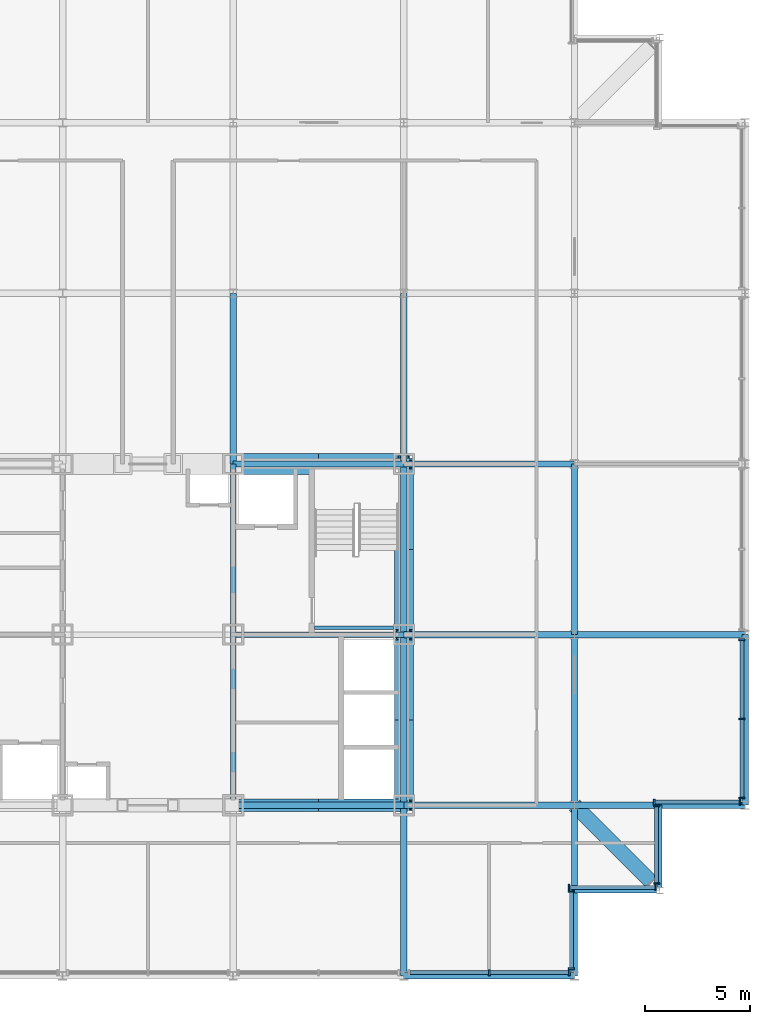
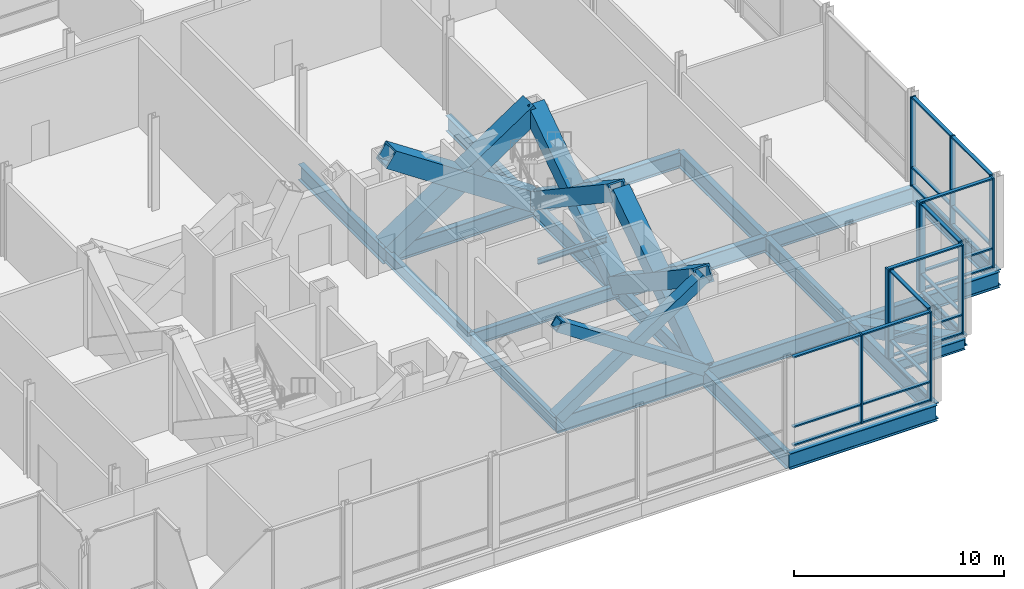
# One storey, part 7 of 21: 45 members, 24 beams, 6 elements without a shape of their own.
"""IFC4 building model written with IfcOpenShell, lengths in metres."""

from ifc_helpers import new_model, si_unit, direction, frame, origin, origin_2d, place, context, subcontext, project, spatial, rectangle, hollow_rectangle, i_section, extrude, material, material_profile, profile_set, type_object, element, aggregate, save


model = new_model("IFC4")

# Units and contexts
model_context = context("Model", 3, precision=1e-05, world=origin(), true_north=direction((0.0, 1.0)))
body_context = subcontext(model_context, "Body", "Model", "MODEL_VIEW")
ifc_project = project(units=[si_unit("LENGTHUNIT", "METRE"), si_unit("AREAUNIT", "SQUARE_METRE"), si_unit("VOLUMEUNIT", "CUBIC_METRE"), si_unit("PLANEANGLEUNIT", "RADIAN"), si_unit("MASSUNIT", "GRAM", prefix="KILO")], contexts=[model_context])

# Site, building, storey
site_placement = place(None, origin())
site = spatial("IfcSite", under=ifc_project, at=site_placement, CompositionType="ELEMENT")
building_placement = place(site_placement, origin())
building = spatial("IfcBuilding", under=site, at=building_placement, Name="Kopane Lantern Tower", CompositionType="ELEMENT")
storey_placement = place(building_placement, frame((0.0, 0.0, 298.5)))
storey = spatial("IfcBuildingStorey", under=building, at=storey_placement, Name="L76", CompositionType="ELEMENT", Elevation=298.5)

# Members
ifc_material_1 = material(Name="Steel S355JR", Category="steel")
ifc_material_profile_1 = material_profile(ifc_material_1, hollow_rectangle(XDim=1.0, YDim=1.0, WallThickness=0.10009765625, at=origin_2d()), Name="BOX 1000x1000x100")
ifc_profile_set_1 = profile_set([ifc_material_profile_1], Name="Steel S355JR")
member_type_1 = type_object("IfcMemberType", Name="BRACE BOX 1000x1000x100", PredefinedType="BRACE", material=ifc_profile_set_1)
for number, where, z_axis, x_axis, name in (
    (1, (32.39990234375, 40.5, -0.2099609375), (0.832058010752, 0.0, 0.55468862143), (0.0, 1.0, 0.0), "Core brace L76"),
    (2, (40.5, 40.5, -0.2099609375), (-0.832058010752, 0.0, 0.55468862143), (0.0, -1.0, 0.0), "Core brace L76"),
):
    element("IfcMember", number, at=place(storey_placement, frame(where, z_axis=z_axis, x_axis=x_axis)), inside=storey, type_object=member_type_1, Name=name, PredefinedType="BRACE", context=body_context, shape_type="SweptSolid", body=[
        extrude(hollow_rectangle(XDim=1.0, YDim=1.0, WallThickness=0.10009765625, at=origin_2d()), origin(), (0.0, 0.0, 1.0), 9.735107421875),
    ])
ifc_material_2 = material(Name="Steel S355JR", Category="steel")
ifc_material_profile_2 = material_profile(ifc_material_2, hollow_rectangle(XDim=0.60009765625, YDim=0.60009765625, WallThickness=0.06005859375, at=origin_2d()), Name="BOX 600x600x60")
ifc_profile_set_2 = profile_set([ifc_material_profile_2], Name="Steel S355JR")
member_type_2 = type_object("IfcMemberType", Name="BRACE BOX 600x600x60", PredefinedType="BRACE", material=ifc_profile_set_2)
for number, where, z_axis, x_axis, name in (
    (3, (32.39990234375, 24.300048828125, -0.2099609375), (0.832058010752, 0.0, 0.55468862143), (0.0, 1.0, 0.0), "Core brace L76"),
    (4, (40.5, 24.300048828125, -0.2099609375), (-0.832058010752, 0.0, 0.55468862143), (0.0, -1.0, 0.0), "Core brace L76"),
):
    element("IfcMember", number, at=place(storey_placement, frame(where, z_axis=z_axis, x_axis=x_axis)), inside=storey, type_object=member_type_2, Name=name, PredefinedType="BRACE", context=body_context, shape_type="SweptSolid", body=[
        extrude(hollow_rectangle(XDim=0.60009765625, YDim=0.60009765625, WallThickness=0.06005859375, at=origin_2d()), origin(), (0.0, 0.0, 1.0), 9.735107421875),
    ])
ifc_material_3 = material(Name="Steel S355JR", Category="steel")
ifc_material_profile_3 = material_profile(ifc_material_3, hollow_rectangle(XDim=0.89990234375, YDim=0.89990234375, WallThickness=0.090087890625, at=origin_2d()), Name="BOX 900x900x90")
ifc_profile_set_3 = profile_set([ifc_material_profile_3], Name="Steel S355JR")
member_type_3 = type_object("IfcMemberType", Name="BRACE BOX 900x900x90", PredefinedType="BRACE", material=ifc_profile_set_3)
for number, where, z_axis, x_axis, name in (
    (5, (40.5, 24.300048828125, -0.2099609375), (0.0, 0.832050294338, 0.554700196225), (-1.0, 0.0, 0.0), "Core brace L76"),
    (6, (40.5, 32.39990234375, -0.2099609375), (0.0, -0.832050294338, 0.554700196225), (1.0, 0.0, 0.0), "Core brace L76"),
):
    element("IfcMember", number, at=place(storey_placement, frame(where, z_axis=z_axis, x_axis=x_axis)), inside=storey, type_object=member_type_3, Name=name, PredefinedType="BRACE", context=body_context, shape_type="SweptSolid", body=[
        extrude(hollow_rectangle(XDim=0.89990234375, YDim=0.89990234375, WallThickness=0.090087890625, at=origin_2d()), origin(), (0.0, 0.0, 1.0), 9.73486328125),
    ])
for number, where, z_axis, x_axis, name in (
    (7, (40.5, 32.39990234375, -0.2099609375), (0.0, 0.832058010752, 0.55468862143), (-1.0, 0.0, 0.0), "Core brace L76"),
    (8, (40.5, 40.5, -0.2099609375), (0.0, -0.832058010752, 0.55468862143), (1.0, 0.0, 0.0), "Core brace L76"),
):
    element("IfcMember", number, at=place(storey_placement, frame(where, z_axis=z_axis, x_axis=x_axis)), inside=storey, type_object=member_type_3, Name=name, PredefinedType="BRACE", context=body_context, shape_type="SweptSolid", body=[
        extrude(hollow_rectangle(XDim=0.89990234375, YDim=0.89990234375, WallThickness=0.090087890625, at=origin_2d()), origin(), (0.0, 0.0, 1.0), 9.735107421875),
    ])

# Beams
ifc_material_4 = material(Name="Steel S355JR", Category="steel")
ifc_material_profile_4 = material_profile(ifc_material_4, i_section(OverallWidth=0.2666015625, OverallDepth=0.76220703125, WebThickness=0.014404296875, FlangeThickness=0.021484375, FilletRadius=0.0166015625, at=origin_2d()), Name="UB 762x267x173")
ifc_profile_set_4 = profile_set([ifc_material_profile_4], Name="Steel S355JR")
beam_type_1 = type_object("IfcBeamType", Name="CORE BEAM UB 762x267x173", PredefinedType="BEAM", material=ifc_profile_set_4)
beam_1_placement = place(storey_placement, frame((32.39990234375, 24.300048828125, -0.591064453125), z_axis=(0.0, 1.0, 0.0), x_axis=(-1.0, 0.0, 0.0)))
element("IfcBeam", 9, at=beam_1_placement, inside=storey, type_object=beam_type_1, Name="Core Beam L76", PredefinedType="BEAM", context=body_context, shape_type="SweptSolid", body=[
    extrude(i_section(OverallWidth=0.2666015625, OverallDepth=0.76220703125, WebThickness=0.014404296875, FlangeThickness=0.021484375, FilletRadius=0.0166015625, at=origin_2d()), origin(), (0.0, 0.0, 1.0), 8.099853515625),
])
for number, where, z_axis, x_axis, name in (
    (10, (32.39990234375, 32.39990234375, -0.591064453125), (0.0, 1.0, 0.0), (-1.0, 0.0, 0.0), "Core Beam L76"),
    (11, (32.39990234375, 32.39990234375, -0.591064453125), (1.0, 0.0, 0.0), (0.0, 1.0, 0.0), "Core Beam L76"),
):
    element("IfcBeam", number, at=place(storey_placement, frame(where, z_axis=z_axis, x_axis=x_axis)), inside=storey, type_object=beam_type_1, Name=name, PredefinedType="BEAM", context=body_context, shape_type="SweptSolid", body=[
        extrude(i_section(OverallWidth=0.2666015625, OverallDepth=0.76220703125, WebThickness=0.014404296875, FlangeThickness=0.021484375, FilletRadius=0.0166015625, at=origin_2d()), origin(), (0.0, 0.0, 1.0), 8.10009765625),
    ])
ifc_material_5 = material(Name="Steel S355JR", Category="steel")
ifc_material_profile_5 = material_profile(ifc_material_5, hollow_rectangle(XDim=0.699951171875, YDim=0.699951171875, WallThickness=0.06005859375, at=origin_2d()), Name="BOX 700x700x60")
ifc_profile_set_5 = profile_set([ifc_material_profile_5], Name="Steel S355JR")
beam_type_2 = type_object("IfcBeamType", Name="CORNER TIE BEAM BOX 700x700x60", PredefinedType="BEAM", material=ifc_profile_set_5)
beam_2_placement = place(storey_placement, frame((52.25244140625, 20.6474609375, -0.56005859375), z_axis=(-0.707083148333, 0.70713041325, 0.0), x_axis=(-0.70713041325, -0.707083148333, 0.0)))
element("IfcBeam", 12, at=beam_2_placement, inside=storey, type_object=beam_type_2, Name="Corner Tie Beam L76", PredefinedType="BEAM", context=body_context, shape_type="SweptSolid", body=[
    extrude(hollow_rectangle(XDim=0.699951171875, YDim=0.699951171875, WallThickness=0.06005859375, at=origin_2d()), origin(), (0.0, 0.0, 1.0), 5.165283203125),
])
ifc_material_6 = material(Name="Steel S355JR", Category="steel")
ifc_material_profile_6 = material_profile(ifc_material_6, i_section(OverallWidth=0.22900390625, OverallDepth=0.6123046875, WebThickness=0.011962890625, FlangeThickness=0.01953125, FilletRadius=0.0126953125, at=origin_2d()), Name="UB 610x229x125")
ifc_profile_set_6 = profile_set([ifc_material_profile_6], Name="Steel S355JR")
beam_type_3 = type_object("IfcBeamType", Name="EDGE BEAM UB 610x229x125", PredefinedType="BEAM", material=ifc_profile_set_6)
for number, where, z_axis, x_axis, name in (
    (13, (52.496337890625, 20.25, -0.51611328125), (-1.0, 0.0, 0.0), (0.0, -1.0, 0.0), "Edge Beam L76"),
    (14, (52.64990234375, 20.40380859375, -0.51611328125), (0.0, 1.0, 0.0), (-1.0, 0.0, 0.0), "Edge Beam L76"),
):
    element("IfcBeam", number, at=place(storey_placement, frame(where, z_axis=z_axis, x_axis=x_axis)), inside=storey, type_object=beam_type_3, Name=name, PredefinedType="BEAM", context=body_context, shape_type="SweptSolid", body=[
        extrude(i_section(OverallWidth=0.22900390625, OverallDepth=0.6123046875, WebThickness=0.011962890625, FlangeThickness=0.01953125, FilletRadius=0.0126953125, at=origin_2d()), origin(), (0.0, 0.0, 1.0), 3.896240234375),
    ])
ifc_material_7 = material(Name="Steel S355JR", Category="steel")
ifc_material_profile_7 = material_profile(ifc_material_7, i_section(OverallWidth=0.305419921875, OverallDepth=0.91845703125, WebThickness=0.017333984375, FlangeThickness=0.02783203125, FilletRadius=0.01904296875, at=origin_2d()), Name="UB 914x305x253")
ifc_profile_set_7 = profile_set([ifc_material_profile_7], Name="Steel S355JR")
beam_type_4 = type_object("IfcBeamType", Name="GIRDER UB 914x305x253", PredefinedType="BEAM", material=ifc_profile_set_7)
for number, where, z_axis, x_axis, name in (
    (15, (32.39990234375, 24.300048828125, -0.669189453125), (1.0, 0.0, 0.0), (0.0, 1.0, 0.0), "Girder L76"),
    (16, (32.39990234375, 40.5, -0.669189453125), (0.0, 1.0, 0.0), (-1.0, 0.0, 0.0), "Girder L76"),
    (17, (32.39990234375, 40.5, -0.669189453125), (1.0, 0.0, 0.0), (0.0, 1.0, 0.0), "Girder L76"),
    (18, (40.5, 16.199951171875, -0.669189453125), (0.0, 1.0, 0.0), (-1.0, 0.0, 0.0), "Girder L76"),
    (19, (40.5, 16.199951171875, -0.669189453125), (1.0, 0.0, 0.0), (0.0, 1.0, 0.0), "Girder L76"),
):
    element("IfcBeam", number, at=place(storey_placement, frame(where, z_axis=z_axis, x_axis=x_axis)), inside=storey, type_object=beam_type_4, Name=name, PredefinedType="BEAM", context=body_context, shape_type="SweptSolid", body=[
        extrude(i_section(OverallWidth=0.305419921875, OverallDepth=0.91845703125, WebThickness=0.017333984375, FlangeThickness=0.02783203125, FilletRadius=0.01904296875, at=origin_2d()), origin(), (0.0, 0.0, 1.0), 8.10009765625),
    ])
beam_3_placement = place(storey_placement, frame((40.5, 24.300048828125, -0.669189453125), z_axis=(0.0, 1.0, 0.0), x_axis=(-1.0, 0.0, 0.0)))
element("IfcBeam", 20, at=beam_3_placement, inside=storey, type_object=beam_type_4, Name="Girder L76", PredefinedType="BEAM", context=body_context, shape_type="SweptSolid", body=[
    extrude(i_section(OverallWidth=0.305419921875, OverallDepth=0.91845703125, WebThickness=0.017333984375, FlangeThickness=0.02783203125, FilletRadius=0.01904296875, at=origin_2d()), origin(), (0.0, 0.0, 1.0), 8.099853515625),
])
for number, where, z_axis, x_axis, name in (
    (21, (40.5, 24.300048828125, -0.669189453125), (1.0, 0.0, 0.0), (0.0, 1.0, 0.0), "Girder L76"),
    (22, (40.5, 32.39990234375, -0.669189453125), (0.0, 1.0, 0.0), (-1.0, 0.0, 0.0), "Girder L76"),
    (23, (40.5, 32.39990234375, -0.669189453125), (1.0, 0.0, 0.0), (0.0, 1.0, 0.0), "Girder L76"),
    (24, (40.5, 40.5, -0.669189453125), (0.0, 1.0, 0.0), (-1.0, 0.0, 0.0), "Girder L76"),
    (25, (40.5, 40.5, -0.669189453125), (1.0, 0.0, 0.0), (0.0, 1.0, 0.0), "Girder L76"),
    (26, (48.60009765625, 16.199951171875, -0.669189453125), (0.0, 1.0, 0.0), (-1.0, 0.0, 0.0), "Girder L76"),
):
    element("IfcBeam", number, at=place(storey_placement, frame(where, z_axis=z_axis, x_axis=x_axis)), inside=storey, type_object=beam_type_4, Name=name, PredefinedType="BEAM", context=body_context, shape_type="SweptSolid", body=[
        extrude(i_section(OverallWidth=0.305419921875, OverallDepth=0.91845703125, WebThickness=0.017333984375, FlangeThickness=0.02783203125, FilletRadius=0.01904296875, at=origin_2d()), origin(), (0.0, 0.0, 1.0), 8.10009765625),
    ])
for number, where, z_axis, x_axis, name in (
    (27, (48.60009765625, 24.300048828125, -0.669189453125), (0.0, 1.0, 0.0), (-1.0, 0.0, 0.0), "Girder L76"),
    (28, (48.60009765625, 24.300048828125, -0.669189453125), (1.0, 0.0, 0.0), (0.0, 1.0, 0.0), "Girder L76"),
):
    element("IfcBeam", number, at=place(storey_placement, frame(where, z_axis=z_axis, x_axis=x_axis)), inside=storey, type_object=beam_type_4, Name=name, PredefinedType="BEAM", context=body_context, shape_type="SweptSolid", body=[
        extrude(i_section(OverallWidth=0.305419921875, OverallDepth=0.91845703125, WebThickness=0.017333984375, FlangeThickness=0.02783203125, FilletRadius=0.01904296875, at=origin_2d()), origin(), (0.0, 0.0, 1.0), 8.099853515625),
    ])
beam_4_placement = place(storey_placement, frame((48.60009765625, 32.39990234375, -0.669189453125), z_axis=(0.0, 1.0, 0.0), x_axis=(-1.0, 0.0, 0.0)))
element("IfcBeam", 29, at=beam_4_placement, inside=storey, type_object=beam_type_4, Name="Girder L76", PredefinedType="BEAM", context=body_context, shape_type="SweptSolid", body=[
    extrude(i_section(OverallWidth=0.305419921875, OverallDepth=0.91845703125, WebThickness=0.017333984375, FlangeThickness=0.02783203125, FilletRadius=0.01904296875, at=origin_2d()), origin(), (0.0, 0.0, 1.0), 8.10009765625),
])
for number, where, z_axis, x_axis, name in (
    (30, (48.60009765625, 32.39990234375, -0.669189453125), (1.0, 0.0, 0.0), (0.0, 1.0, 0.0), "Girder L76"),
    (31, (56.699951171875, 24.300048828125, -0.669189453125), (0.0, 1.0, 0.0), (-1.0, 0.0, 0.0), "Girder L76"),
):
    element("IfcBeam", number, at=place(storey_placement, frame(where, z_axis=z_axis, x_axis=x_axis)), inside=storey, type_object=beam_type_4, Name=name, PredefinedType="BEAM", context=body_context, shape_type="SweptSolid", body=[
        extrude(i_section(OverallWidth=0.305419921875, OverallDepth=0.91845703125, WebThickness=0.017333984375, FlangeThickness=0.02783203125, FilletRadius=0.01904296875, at=origin_2d()), origin(), (0.0, 0.0, 1.0), 8.099853515625),
    ])

# Curtain wall, members
ifc_material_8 = material(Name="Aluminium and clear glass", Category="aluminium")
curtain_wall_type = type_object("IfcCurtainWallType", Name="CURTAIN WALL CW6 LANTERN CROWN", PredefinedType="USERDEFINED", material=ifc_material_8)
curtain_wall_1_placement = place(storey_placement, origin())
curtain_wall_1 = element("IfcCurtainWall", 32, at=curtain_wall_1_placement, inside=storey, type_object=curtain_wall_type, Name="Curtain wall CW6 S L76", ObjectType="CURTAIN WALL", PredefinedType="USERDEFINED")
ifc_material_9 = material(Name="Aluminium", Category="aluminium")
ifc_material_profile_8 = material_profile(ifc_material_9, rectangle(XDim=0.080078125, YDim=0.280029296875, at=origin_2d()), Name="AL 80x280")
ifc_profile_set_8 = profile_set([ifc_material_profile_8], Name="Aluminium")
member_type_4 = type_object("IfcMemberType", Name="MULLION CW6-M 80x280", PredefinedType="MULLION", material=ifc_profile_set_8)
member_1_placement = place(storey_placement, frame((44.550048828125, 16.35009765625, 0.0), z_axis=(0.0, 0.0, 1.0), x_axis=(1.0, 0.0, 0.0)))
member_1 = element("IfcMember", 33, at=member_1_placement, type_object=member_type_4, Name="CW6 mullion 2", PredefinedType="MULLION", context=body_context, shape_type="SweptSolid", body=[
    extrude(rectangle(XDim=0.080078125, YDim=0.280029296875, at=origin_2d()), origin(), (0.0, 0.0, 1.0), 5.18994140625),
])
member_2_placement = place(storey_placement, frame((48.35546875, 16.35009765625, 0.0), z_axis=(0.0, 0.0, 1.0), x_axis=(1.0, 0.0, 0.0)))
member_2 = element("IfcMember", 34, at=member_2_placement, type_object=member_type_4, Name="CW6 mullion 3", PredefinedType="MULLION", context=body_context, shape_type="SweptSolid", body=[
    extrude(rectangle(XDim=0.080078125, YDim=0.280029296875, at=origin_2d()), origin(), (0.0, 0.0, 1.0), 5.18994140625),
])

curtain_wall_2_placement = place(storey_placement, origin())
curtain_wall_2 = element("IfcCurtainWall", 35, at=curtain_wall_2_placement, inside=storey, type_object=curtain_wall_type, Name="Curtain wall CW6 E L76", ObjectType="CURTAIN WALL", PredefinedType="USERDEFINED")
member_3_placement = place(storey_placement, frame((48.449951171875, 16.5400390625, 0.0), z_axis=(0.0, 0.0, 1.0), x_axis=(0.0, 1.0, 0.0)))
member_3 = element("IfcMember", 36, at=member_3_placement, type_object=member_type_4, Name="CW6 mullion 1", PredefinedType="MULLION", context=body_context, shape_type="SweptSolid", body=[
    extrude(rectangle(XDim=0.080078125, YDim=0.280029296875, at=origin_2d()), origin(), (0.0, 0.0, 1.0), 5.18994140625),
])
member_4_placement = place(storey_placement, frame((48.449951171875, 20.2099609375, 0.0), z_axis=(0.0, 0.0, 1.0), x_axis=(0.0, 1.0, 0.0)))
member_4 = element("IfcMember", 37, at=member_4_placement, type_object=member_type_4, Name="CW6 mullion 2", PredefinedType="MULLION", context=body_context, shape_type="SweptSolid", body=[
    extrude(rectangle(XDim=0.080078125, YDim=0.280029296875, at=origin_2d()), origin(), (0.0, 0.0, 1.0), 5.18994140625),
])

curtain_wall_3_placement = place(storey_placement, origin())
curtain_wall_3 = element("IfcCurtainWall", 38, at=curtain_wall_3_placement, inside=storey, type_object=curtain_wall_type, Name="Curtain wall CW6 S L76", ObjectType="CURTAIN WALL", PredefinedType="USERDEFINED")
member_5_placement = place(storey_placement, frame((48.340087890625, 20.39990234375, 0.0), z_axis=(0.0, 0.0, 1.0), x_axis=(1.0, 0.0, 0.0)))
member_5 = element("IfcMember", 39, at=member_5_placement, type_object=member_type_4, Name="CW6 mullion 1", PredefinedType="MULLION", context=body_context, shape_type="SweptSolid", body=[
    extrude(rectangle(XDim=0.080078125, YDim=0.280029296875, at=origin_2d()), origin(), (0.0, 0.0, 1.0), 5.18994140625),
])
member_6_placement = place(storey_placement, frame((52.451416015625, 20.39990234375, 0.0), z_axis=(0.0, 0.0, 1.0), x_axis=(1.0, 0.0, 0.0)))
member_6 = element("IfcMember", 40, at=member_6_placement, type_object=member_type_4, Name="CW6 mullion 2", PredefinedType="MULLION", context=body_context, shape_type="SweptSolid", body=[
    extrude(rectangle(XDim=0.080078125, YDim=0.280029296875, at=origin_2d()), origin(), (0.0, 0.0, 1.0), 5.18994140625),
])

curtain_wall_4_placement = place(storey_placement, origin())
curtain_wall_4 = element("IfcCurtainWall", 41, at=curtain_wall_4_placement, inside=storey, type_object=curtain_wall_type, Name="Curtain wall CW6 E L76", ObjectType="CURTAIN WALL", PredefinedType="USERDEFINED")
member_7_placement = place(storey_placement, frame((52.5, 20.590087890625, 0.0), z_axis=(0.0, 0.0, 1.0), x_axis=(0.0, 1.0, 0.0)))
member_7 = element("IfcMember", 42, at=member_7_placement, type_object=member_type_4, Name="CW6 mullion 1", PredefinedType="MULLION", context=body_context, shape_type="SweptSolid", body=[
    extrude(rectangle(XDim=0.080078125, YDim=0.280029296875, at=origin_2d()), origin(), (0.0, 0.0, 1.0), 5.18994140625),
])
member_8_placement = place(storey_placement, frame((52.5, 24.260009765625, 0.0), z_axis=(0.0, 0.0, 1.0), x_axis=(0.0, 1.0, 0.0)))
member_8 = element("IfcMember", 43, at=member_8_placement, type_object=member_type_4, Name="CW6 mullion 2", PredefinedType="MULLION", context=body_context, shape_type="SweptSolid", body=[
    extrude(rectangle(XDim=0.080078125, YDim=0.280029296875, at=origin_2d()), origin(), (0.0, 0.0, 1.0), 5.18994140625),
])

curtain_wall_5_placement = place(storey_placement, origin())
curtain_wall_5 = element("IfcCurtainWall", 44, at=curtain_wall_5_placement, inside=storey, type_object=curtain_wall_type, Name="Curtain wall CW6 S L76", ObjectType="CURTAIN WALL", PredefinedType="USERDEFINED")
member_9_placement = place(storey_placement, frame((52.389892578125, 24.449951171875, 0.0), z_axis=(0.0, 0.0, 1.0), x_axis=(1.0, 0.0, 0.0)))
member_9 = element("IfcMember", 45, at=member_9_placement, type_object=member_type_4, Name="CW6 mullion 1", PredefinedType="MULLION", context=body_context, shape_type="SweptSolid", body=[
    extrude(rectangle(XDim=0.080078125, YDim=0.280029296875, at=origin_2d()), origin(), (0.0, 0.0, 1.0), 5.18994140625),
])
member_10_placement = place(storey_placement, frame((56.45556640625, 24.449951171875, 0.0), z_axis=(0.0, 0.0, 1.0), x_axis=(1.0, 0.0, 0.0)))
member_10 = element("IfcMember", 46, at=member_10_placement, type_object=member_type_4, Name="CW6 mullion 2", PredefinedType="MULLION", context=body_context, shape_type="SweptSolid", body=[
    extrude(rectangle(XDim=0.080078125, YDim=0.280029296875, at=origin_2d()), origin(), (0.0, 0.0, 1.0), 5.18994140625),
])

curtain_wall_6_placement = place(storey_placement, origin())
curtain_wall_6 = element("IfcCurtainWall", 47, at=curtain_wall_6_placement, inside=storey, type_object=curtain_wall_type, Name="Curtain wall CW6 E L76", ObjectType="CURTAIN WALL", PredefinedType="USERDEFINED")
member_11_placement = place(storey_placement, frame((56.550048828125, 24.639892578125, 0.0), z_axis=(0.0, 0.0, 1.0), x_axis=(0.0, 1.0, 0.0)))
member_11 = element("IfcMember", 48, at=member_11_placement, type_object=member_type_4, Name="CW6 mullion 1", PredefinedType="MULLION", context=body_context, shape_type="SweptSolid", body=[
    extrude(rectangle(XDim=0.080078125, YDim=0.280029296875, at=origin_2d()), origin(), (0.0, 0.0, 1.0), 5.18994140625),
])
member_12_placement = place(storey_placement, frame((56.550048828125, 28.399169921875, 0.0), z_axis=(0.0, 0.0, 1.0), x_axis=(0.0, 1.0, 0.0)))
member_12 = element("IfcMember", 49, at=member_12_placement, type_object=member_type_4, Name="CW6 mullion 2", PredefinedType="MULLION", context=body_context, shape_type="SweptSolid", body=[
    extrude(rectangle(XDim=0.080078125, YDim=0.280029296875, at=origin_2d()), origin(), (0.0, 0.0, 1.0), 5.18994140625),
])
member_13_placement = place(storey_placement, frame((56.550048828125, 32.158203125, 0.0), z_axis=(0.0, 0.0, 1.0), x_axis=(0.0, 1.0, 0.0)))
member_13 = element("IfcMember", 50, at=member_13_placement, type_object=member_type_4, Name="CW6 mullion 3", PredefinedType="MULLION", context=body_context, shape_type="SweptSolid", body=[
    extrude(rectangle(XDim=0.080078125, YDim=0.280029296875, at=origin_2d()), origin(), (0.0, 0.0, 1.0), 5.18994140625),
])

# Beam
ifc_material_10 = material(Name="Steel S355JR", Category="steel")
ifc_material_profile_9 = material_profile(ifc_material_10, i_section(OverallWidth=0.1650390625, OverallDepth=0.303466796875, WebThickness=0.006103515625, FlangeThickness=0.01025390625, FilletRadius=0.0087890625, at=origin_2d()), Name="UB 305x165x40")
ifc_profile_set_9 = profile_set([ifc_material_profile_9], Name="Steel S355JR")
beam_type_5 = type_object("IfcBeamType", Name="STAIR LANDING BEAM UB 305x165x40", PredefinedType="BEAM", material=ifc_profile_set_9)
beam_5_placement = place(storey_placement, frame((40.0, 32.732421875, 2.348388671875), z_axis=(-1.0, 0.0, 0.0), x_axis=(0.0, -1.0, 0.0)))
element("IfcBeam", 51, at=beam_5_placement, inside=storey, type_object=beam_type_5, Name="Stair landing beam ST2 L76", PredefinedType="BEAM", context=body_context, shape_type="SweptSolid", body=[
    extrude(i_section(OverallWidth=0.1650390625, OverallDepth=0.303466796875, WebThickness=0.006103515625, FlangeThickness=0.01025390625, FilletRadius=0.0087890625, at=origin_2d()), origin(), (0.0, 0.0, 1.0), 3.75),
])

# Member
ifc_material_11 = material(Name="Aluminium", Category="aluminium")
ifc_material_profile_10 = material_profile(ifc_material_11, rectangle(XDim=0.18994140625, YDim=0.080078125, at=origin_2d()), Name="AL 190x80")
ifc_profile_set_10 = profile_set([ifc_material_profile_10], Name="Aluminium")
member_type_5 = type_object("IfcMemberType", Name="TRANSOM CW6-T 80x190", PredefinedType="USERDEFINED", material=ifc_profile_set_10)
member_14_placement = place(storey_placement, frame((40.784423828125, 16.35009765625, 0.0400390625), z_axis=(1.0, 0.0, 0.0), x_axis=(0.0, 1.0, 0.0)))
member_14 = element("IfcMember", 52, at=member_14_placement, type_object=member_type_5, Name="CW6 transom 1.1", ObjectType="TRANSOM", PredefinedType="USERDEFINED", context=body_context, shape_type="SweptSolid", body=[
    extrude(rectangle(XDim=0.18994140625, YDim=0.080078125, at=origin_2d()), origin(), (0.0, 0.0, 1.0), 3.7255859375),
])

member_15_placement = place(storey_placement, frame((40.784423828125, 16.35009765625, 1.10009765625), z_axis=(1.0, 0.0, 0.0), x_axis=(0.0, 1.0, 0.0)))
member_15 = element("IfcMember", 53, at=member_15_placement, type_object=member_type_5, Name="CW6 transom 1.2", ObjectType="TRANSOM", PredefinedType="USERDEFINED", context=body_context, shape_type="SweptSolid", body=[
    extrude(rectangle(XDim=0.18994140625, YDim=0.080078125, at=origin_2d()), origin(), (0.0, 0.0, 1.0), 3.7255859375),
])

member_16_placement = place(storey_placement, frame((40.784423828125, 16.35009765625, 5.14990234375), z_axis=(1.0, 0.0, 0.0), x_axis=(0.0, 1.0, 0.0)))
member_16 = element("IfcMember", 54, at=member_16_placement, type_object=member_type_5, Name="CW6 transom 1.3", ObjectType="TRANSOM", PredefinedType="USERDEFINED", context=body_context, shape_type="SweptSolid", body=[
    extrude(rectangle(XDim=0.18994140625, YDim=0.080078125, at=origin_2d()), origin(), (0.0, 0.0, 1.0), 3.7255859375),
])

member_17_placement = place(storey_placement, frame((44.590087890625, 16.35009765625, 0.0400390625), z_axis=(1.0, 0.0, 0.0), x_axis=(0.0, 1.0, 0.0)))
member_17 = element("IfcMember", 55, at=member_17_placement, type_object=member_type_5, Name="CW6 transom 2.1", ObjectType="TRANSOM", PredefinedType="USERDEFINED", context=body_context, shape_type="SweptSolid", body=[
    extrude(rectangle(XDim=0.18994140625, YDim=0.080078125, at=origin_2d()), origin(), (0.0, 0.0, 1.0), 3.725341796875),
])

member_18_placement = place(storey_placement, frame((44.590087890625, 16.35009765625, 1.10009765625), z_axis=(1.0, 0.0, 0.0), x_axis=(0.0, 1.0, 0.0)))
member_18 = element("IfcMember", 56, at=member_18_placement, type_object=member_type_5, Name="CW6 transom 2.2", ObjectType="TRANSOM", PredefinedType="USERDEFINED", context=body_context, shape_type="SweptSolid", body=[
    extrude(rectangle(XDim=0.18994140625, YDim=0.080078125, at=origin_2d()), origin(), (0.0, 0.0, 1.0), 3.725341796875),
])

member_19_placement = place(storey_placement, frame((44.590087890625, 16.35009765625, 5.14990234375), z_axis=(1.0, 0.0, 0.0), x_axis=(0.0, 1.0, 0.0)))
member_19 = element("IfcMember", 57, at=member_19_placement, type_object=member_type_5, Name="CW6 transom 2.3", ObjectType="TRANSOM", PredefinedType="USERDEFINED", context=body_context, shape_type="SweptSolid", body=[
    extrude(rectangle(XDim=0.18994140625, YDim=0.080078125, at=origin_2d()), origin(), (0.0, 0.0, 1.0), 3.725341796875),
])

aggregate(curtain_wall_1, [member_1, member_2, member_14, member_15, member_16, member_17, member_18, member_19])

member_20_placement = place(storey_placement, frame((48.449951171875, 16.580078125, 0.0400390625), z_axis=(0.0, 1.0, 0.0), x_axis=(-1.0, 0.0, 0.0)))
member_20 = element("IfcMember", 58, at=member_20_placement, type_object=member_type_5, Name="CW6 transom 1.1", ObjectType="TRANSOM", PredefinedType="USERDEFINED", context=body_context, shape_type="SweptSolid", body=[
    extrude(rectangle(XDim=0.18994140625, YDim=0.080078125, at=origin_2d()), origin(), (0.0, 0.0, 1.0), 3.58984375),
])

member_21_placement = place(storey_placement, frame((48.449951171875, 16.580078125, 1.10009765625), z_axis=(0.0, 1.0, 0.0), x_axis=(-1.0, 0.0, 0.0)))
member_21 = element("IfcMember", 59, at=member_21_placement, type_object=member_type_5, Name="CW6 transom 1.2", ObjectType="TRANSOM", PredefinedType="USERDEFINED", context=body_context, shape_type="SweptSolid", body=[
    extrude(rectangle(XDim=0.18994140625, YDim=0.080078125, at=origin_2d()), origin(), (0.0, 0.0, 1.0), 3.58984375),
])

member_22_placement = place(storey_placement, frame((48.449951171875, 16.580078125, 5.14990234375), z_axis=(0.0, 1.0, 0.0), x_axis=(-1.0, 0.0, 0.0)))
member_22 = element("IfcMember", 60, at=member_22_placement, type_object=member_type_5, Name="CW6 transom 1.3", ObjectType="TRANSOM", PredefinedType="USERDEFINED", context=body_context, shape_type="SweptSolid", body=[
    extrude(rectangle(XDim=0.18994140625, YDim=0.080078125, at=origin_2d()), origin(), (0.0, 0.0, 1.0), 3.58984375),
])

aggregate(curtain_wall_2, [member_3, member_4, member_20, member_21, member_22])

member_23_placement = place(storey_placement, frame((48.3798828125, 20.39990234375, 0.0400390625), z_axis=(1.0, 0.0, 0.0), x_axis=(0.0, 1.0, 0.0)))
member_23 = element("IfcMember", 61, at=member_23_placement, type_object=member_type_5, Name="CW6 transom 1.1", ObjectType="TRANSOM", PredefinedType="USERDEFINED", context=body_context, shape_type="SweptSolid", body=[
    extrude(rectangle(XDim=0.18994140625, YDim=0.080078125, at=origin_2d()), origin(), (0.0, 0.0, 1.0), 4.031494140625),
])

member_24_placement = place(storey_placement, frame((48.3798828125, 20.39990234375, 1.10009765625), z_axis=(1.0, 0.0, 0.0), x_axis=(0.0, 1.0, 0.0)))
member_24 = element("IfcMember", 62, at=member_24_placement, type_object=member_type_5, Name="CW6 transom 1.2", ObjectType="TRANSOM", PredefinedType="USERDEFINED", context=body_context, shape_type="SweptSolid", body=[
    extrude(rectangle(XDim=0.18994140625, YDim=0.080078125, at=origin_2d()), origin(), (0.0, 0.0, 1.0), 4.031494140625),
])

member_25_placement = place(storey_placement, frame((48.3798828125, 20.39990234375, 5.14990234375), z_axis=(1.0, 0.0, 0.0), x_axis=(0.0, 1.0, 0.0)))
member_25 = element("IfcMember", 63, at=member_25_placement, type_object=member_type_5, Name="CW6 transom 1.3", ObjectType="TRANSOM", PredefinedType="USERDEFINED", context=body_context, shape_type="SweptSolid", body=[
    extrude(rectangle(XDim=0.18994140625, YDim=0.080078125, at=origin_2d()), origin(), (0.0, 0.0, 1.0), 4.031494140625),
])

aggregate(curtain_wall_3, [member_5, member_6, member_23, member_24, member_25])

member_26_placement = place(storey_placement, frame((52.5, 20.6298828125, 0.0400390625), z_axis=(0.0, 1.0, 0.0), x_axis=(-1.0, 0.0, 0.0)))
member_26 = element("IfcMember", 64, at=member_26_placement, type_object=member_type_5, Name="CW6 transom 1.1", ObjectType="TRANSOM", PredefinedType="USERDEFINED", context=body_context, shape_type="SweptSolid", body=[
    extrude(rectangle(XDim=0.18994140625, YDim=0.080078125, at=origin_2d()), origin(), (0.0, 0.0, 1.0), 3.590087890625),
])

member_27_placement = place(storey_placement, frame((52.5, 20.6298828125, 1.10009765625), z_axis=(0.0, 1.0, 0.0), x_axis=(-1.0, 0.0, 0.0)))
member_27 = element("IfcMember", 65, at=member_27_placement, type_object=member_type_5, Name="CW6 transom 1.2", ObjectType="TRANSOM", PredefinedType="USERDEFINED", context=body_context, shape_type="SweptSolid", body=[
    extrude(rectangle(XDim=0.18994140625, YDim=0.080078125, at=origin_2d()), origin(), (0.0, 0.0, 1.0), 3.590087890625),
])

member_28_placement = place(storey_placement, frame((52.5, 20.6298828125, 5.14990234375), z_axis=(0.0, 1.0, 0.0), x_axis=(-1.0, 0.0, 0.0)))
member_28 = element("IfcMember", 66, at=member_28_placement, type_object=member_type_5, Name="CW6 transom 1.3", ObjectType="TRANSOM", PredefinedType="USERDEFINED", context=body_context, shape_type="SweptSolid", body=[
    extrude(rectangle(XDim=0.18994140625, YDim=0.080078125, at=origin_2d()), origin(), (0.0, 0.0, 1.0), 3.590087890625),
])

aggregate(curtain_wall_4, [member_7, member_8, member_26, member_27, member_28])

member_29_placement = place(storey_placement, frame((52.429931640625, 24.449951171875, 0.0400390625), z_axis=(1.0, 0.0, 0.0), x_axis=(0.0, 1.0, 0.0)))
member_29 = element("IfcMember", 67, at=member_29_placement, type_object=member_type_5, Name="CW6 transom 1.1", ObjectType="TRANSOM", PredefinedType="USERDEFINED", context=body_context, shape_type="SweptSolid", body=[
    extrude(rectangle(XDim=0.18994140625, YDim=0.080078125, at=origin_2d()), origin(), (0.0, 0.0, 1.0), 3.985595703125),
])

member_30_placement = place(storey_placement, frame((52.429931640625, 24.449951171875, 1.10009765625), z_axis=(1.0, 0.0, 0.0), x_axis=(0.0, 1.0, 0.0)))
member_30 = element("IfcMember", 68, at=member_30_placement, type_object=member_type_5, Name="CW6 transom 1.2", ObjectType="TRANSOM", PredefinedType="USERDEFINED", context=body_context, shape_type="SweptSolid", body=[
    extrude(rectangle(XDim=0.18994140625, YDim=0.080078125, at=origin_2d()), origin(), (0.0, 0.0, 1.0), 3.985595703125),
])

member_31_placement = place(storey_placement, frame((52.429931640625, 24.449951171875, 5.14990234375), z_axis=(1.0, 0.0, 0.0), x_axis=(0.0, 1.0, 0.0)))
member_31 = element("IfcMember", 69, at=member_31_placement, type_object=member_type_5, Name="CW6 transom 1.3", ObjectType="TRANSOM", PredefinedType="USERDEFINED", context=body_context, shape_type="SweptSolid", body=[
    extrude(rectangle(XDim=0.18994140625, YDim=0.080078125, at=origin_2d()), origin(), (0.0, 0.0, 1.0), 3.985595703125),
])

aggregate(curtain_wall_5, [member_9, member_10, member_29, member_30, member_31])

member_32_placement = place(storey_placement, frame((56.550048828125, 24.679931640625, 0.0400390625), z_axis=(0.0, 1.0, 0.0), x_axis=(-1.0, 0.0, 0.0)))
member_32 = element("IfcMember", 70, at=member_32_placement, type_object=member_type_5, Name="CW6 transom 1.1", ObjectType="TRANSOM", PredefinedType="USERDEFINED", context=body_context, shape_type="SweptSolid", body=[
    extrude(rectangle(XDim=0.18994140625, YDim=0.080078125, at=origin_2d()), origin(), (0.0, 0.0, 1.0), 3.67919921875),
])

member_33_placement = place(storey_placement, frame((56.550048828125, 24.679931640625, 1.10009765625), z_axis=(0.0, 1.0, 0.0), x_axis=(-1.0, 0.0, 0.0)))
member_33 = element("IfcMember", 71, at=member_33_placement, type_object=member_type_5, Name="CW6 transom 1.2", ObjectType="TRANSOM", PredefinedType="USERDEFINED", context=body_context, shape_type="SweptSolid", body=[
    extrude(rectangle(XDim=0.18994140625, YDim=0.080078125, at=origin_2d()), origin(), (0.0, 0.0, 1.0), 3.67919921875),
])

member_34_placement = place(storey_placement, frame((56.550048828125, 24.679931640625, 5.14990234375), z_axis=(0.0, 1.0, 0.0), x_axis=(-1.0, 0.0, 0.0)))
member_34 = element("IfcMember", 72, at=member_34_placement, type_object=member_type_5, Name="CW6 transom 1.3", ObjectType="TRANSOM", PredefinedType="USERDEFINED", context=body_context, shape_type="SweptSolid", body=[
    extrude(rectangle(XDim=0.18994140625, YDim=0.080078125, at=origin_2d()), origin(), (0.0, 0.0, 1.0), 3.67919921875),
])

member_35_placement = place(storey_placement, frame((56.550048828125, 28.439208984375, 0.0400390625), z_axis=(0.0, 1.0, 0.0), x_axis=(-1.0, 0.0, 0.0)))
member_35 = element("IfcMember", 73, at=member_35_placement, type_object=member_type_5, Name="CW6 transom 2.1", ObjectType="TRANSOM", PredefinedType="USERDEFINED", context=body_context, shape_type="SweptSolid", body=[
    extrude(rectangle(XDim=0.18994140625, YDim=0.080078125, at=origin_2d()), origin(), (0.0, 0.0, 1.0), 3.678955078125),
])

member_36_placement = place(storey_placement, frame((56.550048828125, 28.439208984375, 1.10009765625), z_axis=(0.0, 1.0, 0.0), x_axis=(-1.0, 0.0, 0.0)))
member_36 = element("IfcMember", 74, at=member_36_placement, type_object=member_type_5, Name="CW6 transom 2.2", ObjectType="TRANSOM", PredefinedType="USERDEFINED", context=body_context, shape_type="SweptSolid", body=[
    extrude(rectangle(XDim=0.18994140625, YDim=0.080078125, at=origin_2d()), origin(), (0.0, 0.0, 1.0), 3.678955078125),
])

member_37_placement = place(storey_placement, frame((56.550048828125, 28.439208984375, 5.14990234375), z_axis=(0.0, 1.0, 0.0), x_axis=(-1.0, 0.0, 0.0)))
member_37 = element("IfcMember", 75, at=member_37_placement, type_object=member_type_5, Name="CW6 transom 2.3", ObjectType="TRANSOM", PredefinedType="USERDEFINED", context=body_context, shape_type="SweptSolid", body=[
    extrude(rectangle(XDim=0.18994140625, YDim=0.080078125, at=origin_2d()), origin(), (0.0, 0.0, 1.0), 3.678955078125),
])

aggregate(curtain_wall_6, [member_11, member_12, member_13, member_32, member_33, member_34, member_35, member_36, member_37])

save(model, "model.ifc")
